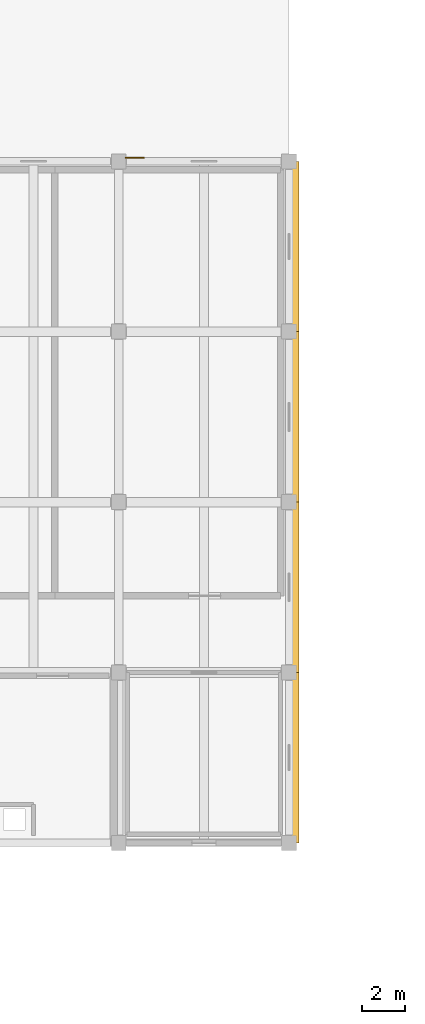
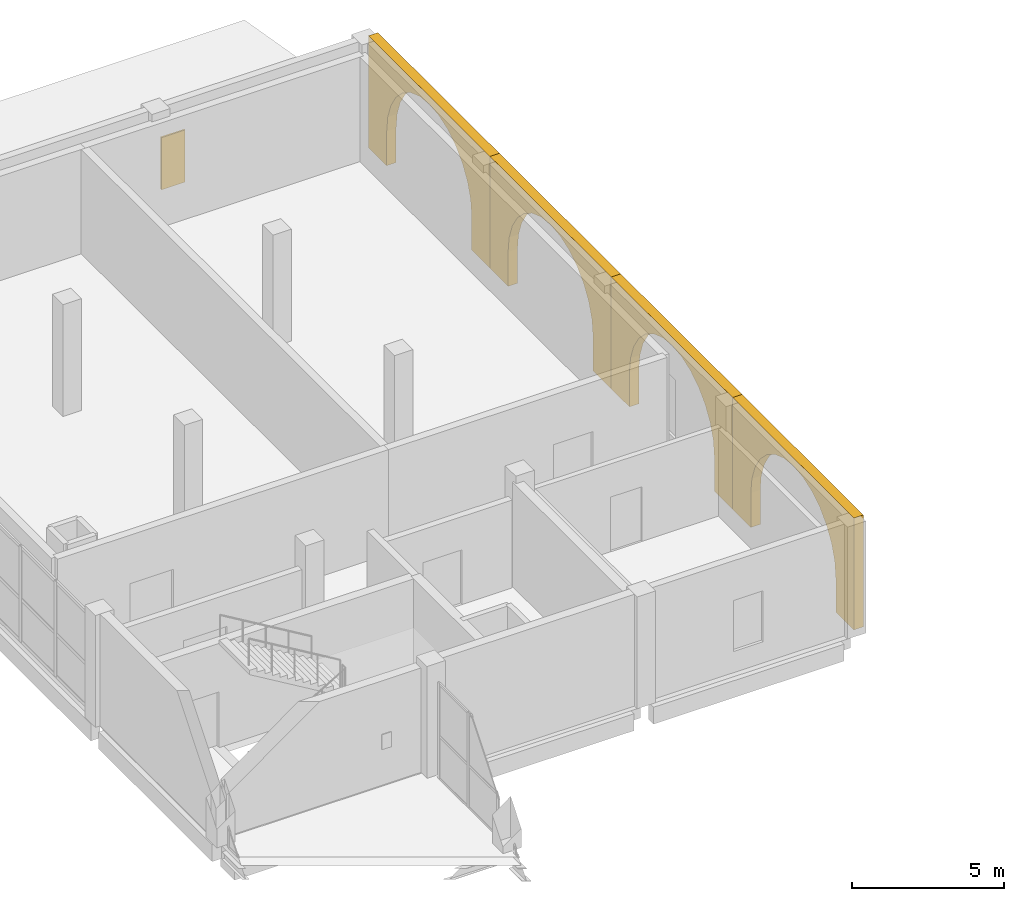
# One storey, part 44 of 45: 4 coverings, 1 shading device.
"""IFC4 building model written with IfcOpenShell, lengths in metres."""

from ifc_helpers import new_model, si_unit, direction, frame, origin, origin_2d, place, context, subcontext, project, spatial, polyline, rectangle, outline, extrude, material, layer, layer_set, type_object, element, save


model = new_model("IFC4")

# Units and contexts
model_context = context("Model", 3, precision=1e-05, world=origin(), true_north=direction((0.0, 1.0)))
body_context = subcontext(model_context, "Body", "Model", "MODEL_VIEW")
ifc_project = project(units=[si_unit("LENGTHUNIT", "METRE"), si_unit("AREAUNIT", "SQUARE_METRE"), si_unit("VOLUMEUNIT", "CUBIC_METRE"), si_unit("PLANEANGLEUNIT", "RADIAN"), si_unit("MASSUNIT", "GRAM", prefix="KILO")], contexts=[model_context])

# Site, building, storey
site_placement = place(None, origin())
site = spatial("IfcSite", under=ifc_project, at=site_placement, CompositionType="ELEMENT")
building_placement = place(site_placement, origin())
building = spatial("IfcBuilding", under=site, at=building_placement, Name="Qorikala Patio Media Centre", CompositionType="ELEMENT")
storey_placement = place(building_placement, frame((0.0, 0.0, 9.89990234375)))
storey = spatial("IfcBuildingStorey", under=building, at=storey_placement, Name="L02", CompositionType="ELEMENT", Elevation=9.89990234375)

# Coverings
ifc_material_1 = material(Name="Comanche Granite Ashlar Stone", Category="masonry")
ifc_layer_1 = layer(ifc_material_1, 0.06005859375)
ifc_layer_set_1 = layer_set([ifc_layer_1], Name="Comanche Granite Ashlar Stone")
covering_type = type_object("IfcCoveringType", Name="COV-CLAD-STONE", PredefinedType="CLADDING", material=ifc_layer_set_1)
for number, where, z_axis, x_axis, name in (
    (1, (75.280029296875, 64.0, 0.0), (0.0, 0.0, 1.0), (0.0, 1.0, 0.0), "Spanish Colonial Stone Arched Arcade UARC-V5E-5"),
    (2, (75.280029296875, 72.0, 0.0), (0.0, 0.0, 1.0), (0.0, 1.0, 0.0), "Spanish Colonial Stone Arched Arcade UARC-V5E-6"),
    (3, (75.280029296875, 80.0, 0.0), (0.0, 0.0, 1.0), (0.0, 1.0, 0.0), "Spanish Colonial Stone Arched Arcade UARC-V5E-7"),
    (4, (75.280029296875, 88.0, 0.0), (0.0, 0.0, 1.0), (0.0, 1.0, 0.0), "Spanish Colonial Stone Arched Arcade UARC-V5E-8"),
):
    element("IfcCovering", number, at=place(storey_placement, frame(where, z_axis=z_axis, x_axis=x_axis)), inside=storey, type_object=covering_type, Name=name, PredefinedType="CLADDING", context=body_context, shape_type="SweptSolid", body=[
        extrude(outline(polyline([(0.0, 0.0), (1.199951171875, 0.0), (1.199951171875, 1.3798828125), (1.270263671875, 2.003173828125), (1.477294921875, 2.594970703125), (1.810791015625, 3.125732421875), (2.254150390625, 3.569091796875), (2.78515625, 3.902587890625), (3.376953125, 4.10986328125), (4.0, 4.179931640625), (4.623046875, 4.10986328125), (5.21484375, 3.902587890625), (5.745849609375, 3.569091796875), (6.189208984375, 3.125732421875), (6.522705078125, 2.594970703125), (6.729736328125, 2.003173828125), (6.800048828125, 1.3798828125), (6.800048828125, 0.0), (8.0, 0.0), (8.0, 4.5), (0.0, 4.5), (0.0, 0.0)])), frame((0.0, 0.18017578125, 0.0), z_axis=(0.0, -1.0, 0.0), x_axis=(1.0, 0.0, 0.0)), (0.0, 0.0, 1.0), 0.360107421875),
    ])

# Shading device
ifc_material_2 = material(Name="Golden Bronze Anodised Aluminium", Category="aluminium")
ifc_layer_2 = layer(ifc_material_2, 0.06005859375)
ifc_layer_set_2 = layer_set([ifc_layer_2], Name="Golden Bronze Anodised Aluminium")
shading_device_type = type_object("IfcShadingDeviceType", Name="SHD-SHUTTER", PredefinedType="SHUTTER", material=ifc_layer_set_2)
shading_device_placement = place(storey_placement, frame((67.75, 96.1650390625, 0.949951171875), z_axis=(0.0, 0.0, 1.0), x_axis=(1.0, 0.0, 0.0)))
element("IfcShadingDevice", 5, at=shading_device_placement, inside=storey, type_object=shading_device_type, Name="L02 Colonial Bronze Sun Shutter 015", PredefinedType="SHUTTER", context=body_context, shape_type="SweptSolid", body=[
    extrude(rectangle(XDim=0.89990234375, YDim=0.06005859375, at=origin_2d()), origin(), (0.0, 0.0, 1.0), 2.10009765625),
])

save(model, "model.ifc")
